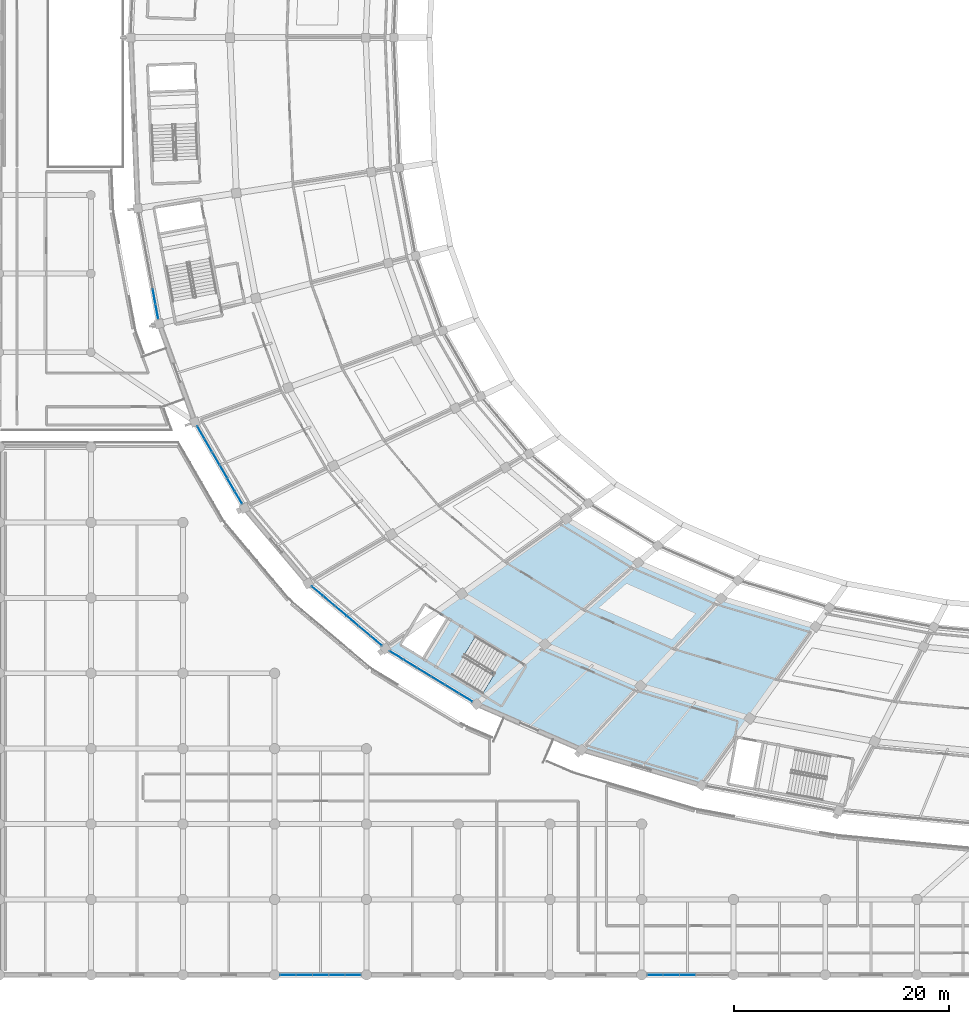
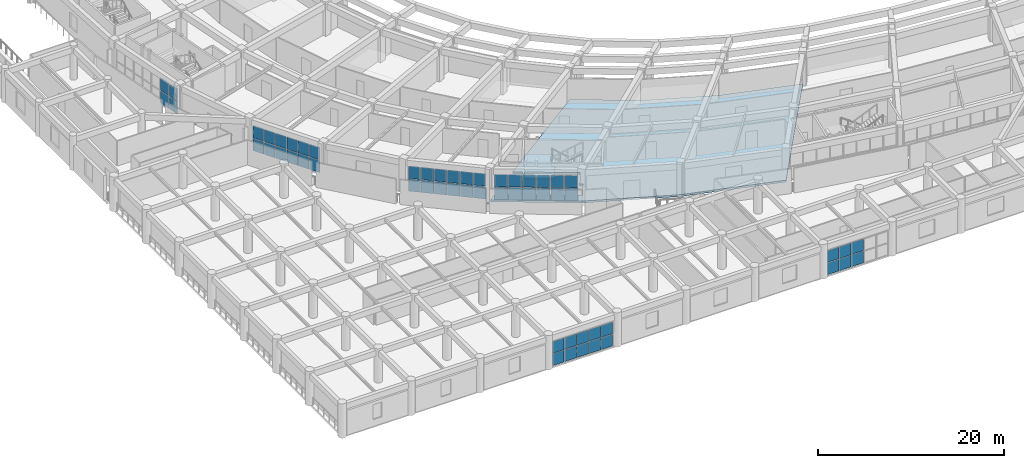
# One storey, part 77 of 145: 56 plates, 2 slabs, 7 elements without a shape of their own.
"""IFC4 building model written with IfcOpenShell, lengths in metres."""

from ifc_helpers import new_model, si_unit, direction, frame, origin, origin_2d, place, context, subcontext, project, spatial, polyline, rectangle, outline, extrude, material, layer, layer_set, type_object, element, aggregate, save


model = new_model("IFC4")

# Units and contexts
model_context = context("Model", 3, precision=1e-05, world=origin(), true_north=direction((0.0, 1.0)))
body_context = subcontext(model_context, "Body", "Model", "MODEL_VIEW")
ifc_project = project(units=[si_unit("LENGTHUNIT", "METRE"), si_unit("AREAUNIT", "SQUARE_METRE"), si_unit("VOLUMEUNIT", "CUBIC_METRE"), si_unit("PLANEANGLEUNIT", "RADIAN"), si_unit("MASSUNIT", "GRAM", prefix="KILO")], contexts=[model_context])

# Site, building, storey
site_placement = place(None, origin())
site = spatial("IfcSite", under=ifc_project, at=site_placement, CompositionType="ELEMENT")
building_placement = place(site_placement, origin())
building = spatial("IfcBuilding", under=site, at=building_placement, Name="Mphavela Belvedere Stadium", CompositionType="ELEMENT")
storey_placement = place(building_placement, frame((0.0, 0.0, 10.199951171875)))
storey = spatial("IfcBuildingStorey", under=building, at=storey_placement, Name="L02", CompositionType="ELEMENT", Elevation=10.199951171875)

# Curtain wall, plates
ifc_material_1 = material(Name="Anodised bronze unitised curtain wall framing")
ifc_layer_1 = layer(ifc_material_1, 0.195068359375)
ifc_layer_set_1 = layer_set([ifc_layer_1], Name="Anodised bronze unitised curtain wall framing")
curtain_wall_type_1 = type_object("IfcCurtainWallType", Name="CW-UNIT-04", PredefinedType="USERDEFINED", material=ifc_layer_set_1)
curtain_wall_1_placement = place(storey_placement, origin())
curtain_wall_1 = element("IfcCurtainWall", 1, at=curtain_wall_1_placement, inside=storey, type_object=curtain_wall_type_1, Name="Belvedere colonnade curtain wall L02-26", ObjectType="UNITISED CURTAIN WALL", PredefinedType="USERDEFINED")
ifc_material_2 = material(Name="Solar-control double glazing", Category="glass")
ifc_layer_2 = layer(ifc_material_2, 0.031982421875)
ifc_layer_set_2 = layer_set([ifc_layer_2], Name="Solar-control double glazing")
plate_type = type_object("IfcPlateType", Name="CWP-SOLAR-GLASS", PredefinedType="CURTAIN_PANEL", material=ifc_layer_set_2)
plate_1_placement = place(storey_placement, frame((14.3671875, 62.957763671875, 0.06005859375), z_axis=(0.0, 0.0, 1.0), x_axis=(0.182625402503, -0.983182568174, 0.0)))
plate_1 = element("IfcPlate", 2, at=plate_1_placement, type_object=plate_type, Name="CW-04 panel 6.1", PredefinedType="CURTAIN_PANEL", context=body_context, shape_type="SweptSolid", body=[
    extrude(rectangle(XDim=1.378662109375, YDim=0.031982421875, at=origin_2d()), origin(), (0.0, 0.0, 1.0), 1.6201171875),
])
plate_2_placement = place(storey_placement, frame((14.3671875, 62.957763671875, 1.739990234375), z_axis=(0.0, 0.0, 1.0), x_axis=(0.182625402503, -0.983182568174, 0.0)))
plate_2 = element("IfcPlate", 3, at=plate_2_placement, type_object=plate_type, Name="CW-04 panel 6.2", PredefinedType="CURTAIN_PANEL", context=body_context, shape_type="SweptSolid", body=[
    extrude(rectangle(XDim=1.378662109375, YDim=0.031982421875, at=origin_2d()), origin(), (0.0, 0.0, 1.0), 1.6201171875),
])
plate_3_placement = place(storey_placement, frame((14.6279296875, 61.554443359375, 0.06005859375), z_axis=(0.0, 0.0, 1.0), x_axis=(0.182625402503, -0.983182568174, 0.0)))
plate_3 = element("IfcPlate", 4, at=plate_3_placement, type_object=plate_type, Name="CW-04 panel 7.1", PredefinedType="CURTAIN_PANEL", context=body_context, shape_type="SweptSolid", body=[
    extrude(rectangle(XDim=1.345947265625, YDim=0.031982421875, at=origin_2d()), origin(), (0.0, 0.0, 1.0), 1.6201171875),
])
plate_4_placement = place(storey_placement, frame((14.6279296875, 61.554443359375, 1.739990234375), z_axis=(0.0, 0.0, 1.0), x_axis=(0.182625402503, -0.983182568174, 0.0)))
plate_4 = element("IfcPlate", 5, at=plate_4_placement, type_object=plate_type, Name="CW-04 panel 7.2", PredefinedType="CURTAIN_PANEL", context=body_context, shape_type="SweptSolid", body=[
    extrude(rectangle(XDim=1.345947265625, YDim=0.031982421875, at=origin_2d()), origin(), (0.0, 0.0, 1.0), 1.6201171875),
])
aggregate(curtain_wall_1, [plate_1, plate_2, plate_3, plate_4])

ifc_material_3 = material(Name="Anodised bronze unitised curtain wall framing")
ifc_layer_3 = layer(ifc_material_3, 0.199951171875)
ifc_layer_set_3 = layer_set([ifc_layer_3], Name="Anodised bronze unitised curtain wall framing")
curtain_wall_type_2 = type_object("IfcCurtainWallType", Name="CW-UNIT-05", PredefinedType="USERDEFINED", material=ifc_layer_set_3)
curtain_wall_2_placement = place(storey_placement, origin())
curtain_wall_2 = element("IfcCurtainWall", 6, at=curtain_wall_2_placement, inside=storey, type_object=curtain_wall_type_2, Name="Belvedere colonnade curtain wall L02-28", ObjectType="UNITISED CURTAIN WALL", PredefinedType="USERDEFINED")
plate_5_placement = place(storey_placement, frame((18.702392578125, 50.3515625, 0.06005859375), z_axis=(0.0, 0.0, 1.0), x_axis=(0.500562469533, -0.865700418213, 0.0)))
plate_5 = element("IfcPlate", 7, at=plate_5_placement, type_object=plate_type, Name="CW-05 panel 1.1", PredefinedType="CURTAIN_PANEL", context=body_context, shape_type="SweptSolid", body=[
    extrude(rectangle(XDim=1.305908203125, YDim=0.031982421875, at=origin_2d()), origin(), (0.0, 0.0, 1.0), 1.6201171875),
])
plate_6_placement = place(storey_placement, frame((18.702392578125, 50.3515625, 1.739990234375), z_axis=(0.0, 0.0, 1.0), x_axis=(0.500562469533, -0.865700418213, 0.0)))
plate_6 = element("IfcPlate", 8, at=plate_6_placement, type_object=plate_type, Name="CW-05 panel 1.2", PredefinedType="CURTAIN_PANEL", context=body_context, shape_type="SweptSolid", body=[
    extrude(rectangle(XDim=1.305908203125, YDim=0.031982421875, at=origin_2d()), origin(), (0.0, 0.0, 1.0), 1.6201171875),
])
plate_7_placement = place(storey_placement, frame((19.39697265625, 49.150634765625, 0.06005859375), z_axis=(0.0, 0.0, 1.0), x_axis=(0.500562469533, -0.865700418213, 0.0)))
plate_7 = element("IfcPlate", 9, at=plate_7_placement, type_object=plate_type, Name="CW-05 panel 2.1", PredefinedType="CURTAIN_PANEL", context=body_context, shape_type="SweptSolid", body=[
    extrude(rectangle(XDim=1.33837890625, YDim=0.031982421875, at=origin_2d()), origin(), (0.0, 0.0, 1.0), 1.6201171875),
])
plate_8_placement = place(storey_placement, frame((19.39697265625, 49.150634765625, 1.739990234375), z_axis=(0.0, 0.0, 1.0), x_axis=(0.500562469533, -0.865700418213, 0.0)))
plate_8 = element("IfcPlate", 10, at=plate_8_placement, type_object=plate_type, Name="CW-05 panel 2.2", PredefinedType="CURTAIN_PANEL", context=body_context, shape_type="SweptSolid", body=[
    extrude(rectangle(XDim=1.33837890625, YDim=0.031982421875, at=origin_2d()), origin(), (0.0, 0.0, 1.0), 1.6201171875),
])
plate_9_placement = place(storey_placement, frame((20.099365234375, 47.935546875, 0.06005859375), z_axis=(0.0, 0.0, 1.0), x_axis=(0.500562469533, -0.865700418213, 0.0)))
plate_9 = element("IfcPlate", 11, at=plate_9_placement, type_object=plate_type, Name="CW-05 panel 3.1", PredefinedType="CURTAIN_PANEL", context=body_context, shape_type="SweptSolid", body=[
    extrude(rectangle(XDim=1.33837890625, YDim=0.031982421875, at=origin_2d()), origin(), (0.0, 0.0, 1.0), 1.6201171875),
])
plate_10_placement = place(storey_placement, frame((20.099365234375, 47.935546875, 1.739990234375), z_axis=(0.0, 0.0, 1.0), x_axis=(0.500562469533, -0.865700418213, 0.0)))
plate_10 = element("IfcPlate", 12, at=plate_10_placement, type_object=plate_type, Name="CW-05 panel 3.2", PredefinedType="CURTAIN_PANEL", context=body_context, shape_type="SweptSolid", body=[
    extrude(rectangle(XDim=1.33837890625, YDim=0.031982421875, at=origin_2d()), origin(), (0.0, 0.0, 1.0), 1.6201171875),
])
plate_11_placement = place(storey_placement, frame((20.802001953125, 46.720703125, 0.06005859375), z_axis=(0.0, 0.0, 1.0), x_axis=(0.500562469533, -0.865700418213, 0.0)))
plate_11 = element("IfcPlate", 13, at=plate_11_placement, type_object=plate_type, Name="CW-05 panel 4.1", PredefinedType="CURTAIN_PANEL", context=body_context, shape_type="SweptSolid", body=[
    extrude(rectangle(XDim=1.33837890625, YDim=0.031982421875, at=origin_2d()), origin(), (0.0, 0.0, 1.0), 1.6201171875),
])
plate_12_placement = place(storey_placement, frame((20.802001953125, 46.720703125, 1.739990234375), z_axis=(0.0, 0.0, 1.0), x_axis=(0.500562469533, -0.865700418213, 0.0)))
plate_12 = element("IfcPlate", 14, at=plate_12_placement, type_object=plate_type, Name="CW-05 panel 4.2", PredefinedType="CURTAIN_PANEL", context=body_context, shape_type="SweptSolid", body=[
    extrude(rectangle(XDim=1.33837890625, YDim=0.031982421875, at=origin_2d()), origin(), (0.0, 0.0, 1.0), 1.6201171875),
])
plate_13_placement = place(storey_placement, frame((21.50439453125, 45.505615234375, 0.06005859375), z_axis=(0.0, 0.0, 1.0), x_axis=(0.500562469533, -0.865700418213, 0.0)))
plate_13 = element("IfcPlate", 15, at=plate_13_placement, type_object=plate_type, Name="CW-05 panel 5.1", PredefinedType="CURTAIN_PANEL", context=body_context, shape_type="SweptSolid", body=[
    extrude(rectangle(XDim=1.33837890625, YDim=0.031982421875, at=origin_2d()), origin(), (0.0, 0.0, 1.0), 1.6201171875),
])
plate_14_placement = place(storey_placement, frame((21.50439453125, 45.505615234375, 1.739990234375), z_axis=(0.0, 0.0, 1.0), x_axis=(0.500562469533, -0.865700418213, 0.0)))
plate_14 = element("IfcPlate", 16, at=plate_14_placement, type_object=plate_type, Name="CW-05 panel 5.2", PredefinedType="CURTAIN_PANEL", context=body_context, shape_type="SweptSolid", body=[
    extrude(rectangle(XDim=1.33837890625, YDim=0.031982421875, at=origin_2d()), origin(), (0.0, 0.0, 1.0), 1.6201171875),
])
plate_15_placement = place(storey_placement, frame((22.198974609375, 44.3046875, 0.06005859375), z_axis=(0.0, 0.0, 1.0), x_axis=(0.500562469533, -0.865700418213, 0.0)))
plate_15 = element("IfcPlate", 17, at=plate_15_placement, type_object=plate_type, Name="CW-05 panel 6.1", PredefinedType="CURTAIN_PANEL", context=body_context, shape_type="SweptSolid", body=[
    extrude(rectangle(XDim=1.305908203125, YDim=0.031982421875, at=origin_2d()), origin(), (0.0, 0.0, 1.0), 1.6201171875),
])
plate_16_placement = place(storey_placement, frame((22.198974609375, 44.3046875, 1.739990234375), z_axis=(0.0, 0.0, 1.0), x_axis=(0.500562469533, -0.865700418213, 0.0)))
plate_16 = element("IfcPlate", 18, at=plate_16_placement, type_object=plate_type, Name="CW-05 panel 6.2", PredefinedType="CURTAIN_PANEL", context=body_context, shape_type="SweptSolid", body=[
    extrude(rectangle(XDim=1.305908203125, YDim=0.031982421875, at=origin_2d()), origin(), (0.0, 0.0, 1.0), 1.6201171875),
])
aggregate(curtain_wall_2, [plate_5, plate_6, plate_7, plate_8, plate_9, plate_10, plate_11, plate_12, plate_13, plate_14, plate_15, plate_16])

ifc_material_4 = material(Name="Anodised bronze unitised curtain wall framing")
ifc_layer_4 = layer(ifc_material_4, 0.205078125)
ifc_layer_set_4 = layer_set([ifc_layer_4], Name="Anodised bronze unitised curtain wall framing")
curtain_wall_type_3 = type_object("IfcCurtainWallType", Name="CW-UNIT-06", PredefinedType="USERDEFINED", material=ifc_layer_set_4)
curtain_wall_3_placement = place(storey_placement, origin())
curtain_wall_3 = element("IfcCurtainWall", 19, at=curtain_wall_3_placement, inside=storey, type_object=curtain_wall_type_3, Name="Belvedere colonnade curtain wall L02-30", ObjectType="UNITISED CURTAIN WALL", PredefinedType="USERDEFINED")
plate_17_placement = place(storey_placement, frame((29.526123046875, 35.616943359375, 0.06005859375), z_axis=(0.0, 0.0, 1.0), x_axis=(0.764260865126, -0.644907225915, 0.0)))
plate_17 = element("IfcPlate", 20, at=plate_17_placement, type_object=plate_type, Name="CW-06 panel 1.1", PredefinedType="CURTAIN_PANEL", context=body_context, shape_type="SweptSolid", body=[
    extrude(rectangle(XDim=1.336181640625, YDim=0.031982421875, at=origin_2d()), origin(), (0.0, 0.0, 1.0), 1.6201171875),
])
plate_18_placement = place(storey_placement, frame((29.526123046875, 35.616943359375, 1.739990234375), z_axis=(0.0, 0.0, 1.0), x_axis=(0.764260865126, -0.644907225915, 0.0)))
plate_18 = element("IfcPlate", 21, at=plate_18_placement, type_object=plate_type, Name="CW-06 panel 1.2", PredefinedType="CURTAIN_PANEL", context=body_context, shape_type="SweptSolid", body=[
    extrude(rectangle(XDim=1.336181640625, YDim=0.031982421875, at=origin_2d()), origin(), (0.0, 0.0, 1.0), 1.6201171875),
])
plate_19_placement = place(storey_placement, frame((30.609375, 34.702880859375, 0.06005859375), z_axis=(0.0, 0.0, 1.0), x_axis=(0.764260865126, -0.644907225915, 0.0)))
plate_19 = element("IfcPlate", 22, at=plate_19_placement, type_object=plate_type, Name="CW-06 panel 2.1", PredefinedType="CURTAIN_PANEL", context=body_context, shape_type="SweptSolid", body=[
    extrude(rectangle(XDim=1.36865234375, YDim=0.031982421875, at=origin_2d()), origin(), (0.0, 0.0, 1.0), 1.6201171875),
])
plate_20_placement = place(storey_placement, frame((30.609375, 34.702880859375, 1.739990234375), z_axis=(0.0, 0.0, 1.0), x_axis=(0.764260865126, -0.644907225915, 0.0)))
plate_20 = element("IfcPlate", 23, at=plate_20_placement, type_object=plate_type, Name="CW-06 panel 2.2", PredefinedType="CURTAIN_PANEL", context=body_context, shape_type="SweptSolid", body=[
    extrude(rectangle(XDim=1.36865234375, YDim=0.031982421875, at=origin_2d()), origin(), (0.0, 0.0, 1.0), 1.6201171875),
])
plate_21_placement = place(storey_placement, frame((31.705078125, 33.7783203125, 0.06005859375), z_axis=(0.0, 0.0, 1.0), x_axis=(0.764260865126, -0.644907225915, 0.0)))
plate_21 = element("IfcPlate", 24, at=plate_21_placement, type_object=plate_type, Name="CW-06 panel 3.1", PredefinedType="CURTAIN_PANEL", context=body_context, shape_type="SweptSolid", body=[
    extrude(rectangle(XDim=1.36865234375, YDim=0.031982421875, at=origin_2d()), origin(), (0.0, 0.0, 1.0), 1.6201171875),
])
plate_22_placement = place(storey_placement, frame((31.705078125, 33.7783203125, 1.739990234375), z_axis=(0.0, 0.0, 1.0), x_axis=(0.764260865126, -0.644907225915, 0.0)))
plate_22 = element("IfcPlate", 25, at=plate_22_placement, type_object=plate_type, Name="CW-06 panel 3.2", PredefinedType="CURTAIN_PANEL", context=body_context, shape_type="SweptSolid", body=[
    extrude(rectangle(XDim=1.36865234375, YDim=0.031982421875, at=origin_2d()), origin(), (0.0, 0.0, 1.0), 1.6201171875),
])
plate_23_placement = place(storey_placement, frame((32.801025390625, 32.853759765625, 0.06005859375), z_axis=(0.0, 0.0, 1.0), x_axis=(0.764260865126, -0.644907225915, 0.0)))
plate_23 = element("IfcPlate", 26, at=plate_23_placement, type_object=plate_type, Name="CW-06 panel 4.1", PredefinedType="CURTAIN_PANEL", context=body_context, shape_type="SweptSolid", body=[
    extrude(rectangle(XDim=1.36865234375, YDim=0.031982421875, at=origin_2d()), origin(), (0.0, 0.0, 1.0), 1.6201171875),
])
plate_24_placement = place(storey_placement, frame((32.801025390625, 32.853759765625, 1.739990234375), z_axis=(0.0, 0.0, 1.0), x_axis=(0.764260865126, -0.644907225915, 0.0)))
plate_24 = element("IfcPlate", 27, at=plate_24_placement, type_object=plate_type, Name="CW-06 panel 4.2", PredefinedType="CURTAIN_PANEL", context=body_context, shape_type="SweptSolid", body=[
    extrude(rectangle(XDim=1.36865234375, YDim=0.031982421875, at=origin_2d()), origin(), (0.0, 0.0, 1.0), 1.6201171875),
])
plate_25_placement = place(storey_placement, frame((33.896728515625, 31.92919921875, 0.06005859375), z_axis=(0.0, 0.0, 1.0), x_axis=(0.764260865126, -0.644907225915, 0.0)))
plate_25 = element("IfcPlate", 28, at=plate_25_placement, type_object=plate_type, Name="CW-06 panel 5.1", PredefinedType="CURTAIN_PANEL", context=body_context, shape_type="SweptSolid", body=[
    extrude(rectangle(XDim=1.36865234375, YDim=0.031982421875, at=origin_2d()), origin(), (0.0, 0.0, 1.0), 1.6201171875),
])
plate_26_placement = place(storey_placement, frame((33.896728515625, 31.92919921875, 1.739990234375), z_axis=(0.0, 0.0, 1.0), x_axis=(0.764260865126, -0.644907225915, 0.0)))
plate_26 = element("IfcPlate", 29, at=plate_26_placement, type_object=plate_type, Name="CW-06 panel 5.2", PredefinedType="CURTAIN_PANEL", context=body_context, shape_type="SweptSolid", body=[
    extrude(rectangle(XDim=1.36865234375, YDim=0.031982421875, at=origin_2d()), origin(), (0.0, 0.0, 1.0), 1.6201171875),
])
plate_27_placement = place(storey_placement, frame((34.97998046875, 31.014892578125, 0.06005859375), z_axis=(0.0, 0.0, 1.0), x_axis=(0.764260865126, -0.644907225915, 0.0)))
plate_27 = element("IfcPlate", 30, at=plate_27_placement, type_object=plate_type, Name="CW-06 panel 6.1", PredefinedType="CURTAIN_PANEL", context=body_context, shape_type="SweptSolid", body=[
    extrude(rectangle(XDim=1.336181640625, YDim=0.031982421875, at=origin_2d()), origin(), (0.0, 0.0, 1.0), 1.6201171875),
])
plate_28_placement = place(storey_placement, frame((34.97998046875, 31.014892578125, 1.739990234375), z_axis=(0.0, 0.0, 1.0), x_axis=(0.764260865126, -0.644907225915, 0.0)))
plate_28 = element("IfcPlate", 31, at=plate_28_placement, type_object=plate_type, Name="CW-06 panel 6.2", PredefinedType="CURTAIN_PANEL", context=body_context, shape_type="SweptSolid", body=[
    extrude(rectangle(XDim=1.336181640625, YDim=0.031982421875, at=origin_2d()), origin(), (0.0, 0.0, 1.0), 1.6201171875),
])
aggregate(curtain_wall_3, [plate_17, plate_18, plate_19, plate_20, plate_21, plate_22, plate_23, plate_24, plate_25, plate_26, plate_27, plate_28])

ifc_material_5 = material(Name="Anodised bronze unitised curtain wall framing")
ifc_layer_5 = layer(ifc_material_5, 0.179931640625)
ifc_layer_set_5 = layer_set([ifc_layer_5], Name="Anodised bronze unitised curtain wall framing")
curtain_wall_type_4 = type_object("IfcCurtainWallType", Name="CW-UNIT-01", PredefinedType="USERDEFINED", material=ifc_layer_set_5)
curtain_wall_4_placement = place(storey_placement, origin())
curtain_wall_4 = element("IfcCurtainWall", 32, at=curtain_wall_4_placement, inside=storey, type_object=curtain_wall_type_4, Name="Belvedere colonnade curtain wall L02-31", ObjectType="UNITISED CURTAIN WALL", PredefinedType="USERDEFINED")
plate_29_placement = place(storey_placement, frame((36.8466796875, 29.67578125, 0.06005859375), z_axis=(0.0, 0.0, 1.0), x_axis=(0.85432958476, -0.519731623633, 0.0)))
plate_29 = element("IfcPlate", 33, at=plate_29_placement, type_object=plate_type, Name="CW-01 panel 1.1", PredefinedType="CURTAIN_PANEL", context=body_context, shape_type="SweptSolid", body=[
    extrude(rectangle(XDim=1.420166015625, YDim=0.031982421875, at=origin_2d()), origin(), (0.0, 0.0, 1.0), 1.6201171875),
])
plate_30_placement = place(storey_placement, frame((36.8466796875, 29.67578125, 1.739990234375), z_axis=(0.0, 0.0, 1.0), x_axis=(0.85432958476, -0.519731623633, 0.0)))
plate_30 = element("IfcPlate", 34, at=plate_30_placement, type_object=plate_type, Name="CW-01 panel 1.2", PredefinedType="CURTAIN_PANEL", context=body_context, shape_type="SweptSolid", body=[
    extrude(rectangle(XDim=1.420166015625, YDim=0.031982421875, at=origin_2d()), origin(), (0.0, 0.0, 1.0), 1.6201171875),
])
plate_31_placement = place(storey_placement, frame((38.129150390625, 28.8955078125, 0.06005859375), z_axis=(0.0, 0.0, 1.0), x_axis=(0.85432958476, -0.519731623633, 0.0)))
plate_31 = element("IfcPlate", 35, at=plate_31_placement, type_object=plate_type, Name="CW-01 panel 2.1", PredefinedType="CURTAIN_PANEL", context=body_context, shape_type="SweptSolid", body=[
    extrude(rectangle(XDim=1.45263671875, YDim=0.031982421875, at=origin_2d()), origin(), (0.0, 0.0, 1.0), 1.6201171875),
])
plate_32_placement = place(storey_placement, frame((38.129150390625, 28.8955078125, 1.739990234375), z_axis=(0.0, 0.0, 1.0), x_axis=(0.85432958476, -0.519731623633, 0.0)))
plate_32 = element("IfcPlate", 36, at=plate_32_placement, type_object=plate_type, Name="CW-01 panel 2.2", PredefinedType="CURTAIN_PANEL", context=body_context, shape_type="SweptSolid", body=[
    extrude(rectangle(XDim=1.45263671875, YDim=0.031982421875, at=origin_2d()), origin(), (0.0, 0.0, 1.0), 1.6201171875),
])
plate_33_placement = place(storey_placement, frame((39.42578125, 28.106689453125, 0.06005859375), z_axis=(0.0, 0.0, 1.0), x_axis=(0.85432958476, -0.519731623633, 0.0)))
plate_33 = element("IfcPlate", 37, at=plate_33_placement, type_object=plate_type, Name="CW-01 panel 3.1", PredefinedType="CURTAIN_PANEL", context=body_context, shape_type="SweptSolid", body=[
    extrude(rectangle(XDim=1.45263671875, YDim=0.031982421875, at=origin_2d()), origin(), (0.0, 0.0, 1.0), 1.6201171875),
])
plate_34_placement = place(storey_placement, frame((39.42578125, 28.106689453125, 1.739990234375), z_axis=(0.0, 0.0, 1.0), x_axis=(0.85432958476, -0.519731623633, 0.0)))
plate_34 = element("IfcPlate", 38, at=plate_34_placement, type_object=plate_type, Name="CW-01 panel 3.2", PredefinedType="CURTAIN_PANEL", context=body_context, shape_type="SweptSolid", body=[
    extrude(rectangle(XDim=1.45263671875, YDim=0.031982421875, at=origin_2d()), origin(), (0.0, 0.0, 1.0), 1.6201171875),
])
plate_35_placement = place(storey_placement, frame((40.722412109375, 27.31787109375, 0.06005859375), z_axis=(0.0, 0.0, 1.0), x_axis=(0.85432958476, -0.519731623633, 0.0)))
plate_35 = element("IfcPlate", 39, at=plate_35_placement, type_object=plate_type, Name="CW-01 panel 4.1", PredefinedType="CURTAIN_PANEL", context=body_context, shape_type="SweptSolid", body=[
    extrude(rectangle(XDim=1.45263671875, YDim=0.031982421875, at=origin_2d()), origin(), (0.0, 0.0, 1.0), 1.6201171875),
])
plate_36_placement = place(storey_placement, frame((40.722412109375, 27.31787109375, 1.739990234375), z_axis=(0.0, 0.0, 1.0), x_axis=(0.85432958476, -0.519731623633, 0.0)))
plate_36 = element("IfcPlate", 40, at=plate_36_placement, type_object=plate_type, Name="CW-01 panel 4.2", PredefinedType="CURTAIN_PANEL", context=body_context, shape_type="SweptSolid", body=[
    extrude(rectangle(XDim=1.45263671875, YDim=0.031982421875, at=origin_2d()), origin(), (0.0, 0.0, 1.0), 1.6201171875),
])
plate_37_placement = place(storey_placement, frame((42.01904296875, 26.529052734375, 0.06005859375), z_axis=(0.0, 0.0, 1.0), x_axis=(0.85432958476, -0.519731623633, 0.0)))
plate_37 = element("IfcPlate", 41, at=plate_37_placement, type_object=plate_type, Name="CW-01 panel 5.1", PredefinedType="CURTAIN_PANEL", context=body_context, shape_type="SweptSolid", body=[
    extrude(rectangle(XDim=1.45263671875, YDim=0.031982421875, at=origin_2d()), origin(), (0.0, 0.0, 1.0), 1.6201171875),
])
plate_38_placement = place(storey_placement, frame((42.01904296875, 26.529052734375, 1.739990234375), z_axis=(0.0, 0.0, 1.0), x_axis=(0.85432958476, -0.519731623633, 0.0)))
plate_38 = element("IfcPlate", 42, at=plate_38_placement, type_object=plate_type, Name="CW-01 panel 5.2", PredefinedType="CURTAIN_PANEL", context=body_context, shape_type="SweptSolid", body=[
    extrude(rectangle(XDim=1.45263671875, YDim=0.031982421875, at=origin_2d()), origin(), (0.0, 0.0, 1.0), 1.6201171875),
])
plate_39_placement = place(storey_placement, frame((43.301513671875, 25.748779296875, 0.06005859375), z_axis=(0.0, 0.0, 1.0), x_axis=(0.85432958476, -0.519731623633, 0.0)))
plate_39 = element("IfcPlate", 43, at=plate_39_placement, type_object=plate_type, Name="CW-01 panel 6.1", PredefinedType="CURTAIN_PANEL", context=body_context, shape_type="SweptSolid", body=[
    extrude(rectangle(XDim=1.420166015625, YDim=0.031982421875, at=origin_2d()), origin(), (0.0, 0.0, 1.0), 1.6201171875),
])
plate_40_placement = place(storey_placement, frame((43.301513671875, 25.748779296875, 1.739990234375), z_axis=(0.0, 0.0, 1.0), x_axis=(0.85432958476, -0.519731623633, 0.0)))
plate_40 = element("IfcPlate", 44, at=plate_40_placement, type_object=plate_type, Name="CW-01 panel 6.2", PredefinedType="CURTAIN_PANEL", context=body_context, shape_type="SweptSolid", body=[
    extrude(rectangle(XDim=1.420166015625, YDim=0.031982421875, at=origin_2d()), origin(), (0.0, 0.0, 1.0), 1.6201171875),
])
aggregate(curtain_wall_4, [plate_29, plate_30, plate_31, plate_32, plate_33, plate_34, plate_35, plate_36, plate_37, plate_38, plate_39, plate_40])

curtain_wall_5_placement = place(storey_placement, origin())
curtain_wall_5 = element("IfcCurtainWall", 45, at=curtain_wall_5_placement, inside=storey, type_object=curtain_wall_type_4, Name="South Axial Triumphal Peristyle Portico gallery curtain wall L02-04", ObjectType="UNITISED CURTAIN WALL", PredefinedType="USERDEFINED")
plate_41_placement = place(storey_placement, frame((32.82763671875, 0.0, 0.06005859375), z_axis=(0.0, 0.0, 1.0), x_axis=(-1.0, 0.0, 0.0)))
plate_41 = element("IfcPlate", 46, at=plate_41_placement, type_object=plate_type, Name="CW-01 panel 1.1", PredefinedType="CURTAIN_PANEL", context=body_context, shape_type="SweptSolid", body=[
    extrude(rectangle(XDim=1.4169921875, YDim=0.031982421875, at=origin_2d()), origin(), (0.0, 0.0, 1.0), 1.5400390625),
])
plate_42_placement = place(storey_placement, frame((32.82763671875, 0.0, 1.659912109375), z_axis=(0.0, 0.0, 1.0), x_axis=(-1.0, 0.0, 0.0)))
plate_42 = element("IfcPlate", 47, at=plate_42_placement, type_object=plate_type, Name="CW-01 panel 1.2", PredefinedType="CURTAIN_PANEL", context=body_context, shape_type="SweptSolid", body=[
    extrude(rectangle(XDim=1.4169921875, YDim=0.031982421875, at=origin_2d()), origin(), (0.0, 0.0, 1.0), 1.5400390625),
])
plate_43_placement = place(storey_placement, frame((31.329345703125, 0.0, 0.06005859375), z_axis=(0.0, 0.0, 1.0), x_axis=(-1.0, 0.0, 0.0)))
plate_43 = element("IfcPlate", 48, at=plate_43_placement, type_object=plate_type, Name="CW-01 panel 2.1", PredefinedType="CURTAIN_PANEL", context=body_context, shape_type="SweptSolid", body=[
    extrude(rectangle(XDim=1.449462890625, YDim=0.031982421875, at=origin_2d()), origin(), (0.0, 0.0, 1.0), 1.5400390625),
])
plate_44_placement = place(storey_placement, frame((31.329345703125, 0.0, 1.659912109375), z_axis=(0.0, 0.0, 1.0), x_axis=(-1.0, 0.0, 0.0)))
plate_44 = element("IfcPlate", 49, at=plate_44_placement, type_object=plate_type, Name="CW-01 panel 2.2", PredefinedType="CURTAIN_PANEL", context=body_context, shape_type="SweptSolid", body=[
    extrude(rectangle(XDim=1.449462890625, YDim=0.031982421875, at=origin_2d()), origin(), (0.0, 0.0, 1.0), 1.5400390625),
])
plate_45_placement = place(storey_placement, frame((29.81494140625, 0.0, 0.06005859375), z_axis=(0.0, 0.0, 1.0), x_axis=(-1.0, 0.0, 0.0)))
plate_45 = element("IfcPlate", 50, at=plate_45_placement, type_object=plate_type, Name="CW-01 panel 3.1", PredefinedType="CURTAIN_PANEL", context=body_context, shape_type="SweptSolid", body=[
    extrude(rectangle(XDim=1.449462890625, YDim=0.031982421875, at=origin_2d()), origin(), (0.0, 0.0, 1.0), 1.5400390625),
])
plate_46_placement = place(storey_placement, frame((29.81494140625, 0.0, 1.659912109375), z_axis=(0.0, 0.0, 1.0), x_axis=(-1.0, 0.0, 0.0)))
plate_46 = element("IfcPlate", 51, at=plate_46_placement, type_object=plate_type, Name="CW-01 panel 3.2", PredefinedType="CURTAIN_PANEL", context=body_context, shape_type="SweptSolid", body=[
    extrude(rectangle(XDim=1.449462890625, YDim=0.031982421875, at=origin_2d()), origin(), (0.0, 0.0, 1.0), 1.5400390625),
])
plate_47_placement = place(storey_placement, frame((28.300537109375, 0.0, 0.06005859375), z_axis=(0.0, 0.0, 1.0), x_axis=(-1.0, 0.0, 0.0)))
plate_47 = element("IfcPlate", 52, at=plate_47_placement, type_object=plate_type, Name="CW-01 panel 4.1", PredefinedType="CURTAIN_PANEL", context=body_context, shape_type="SweptSolid", body=[
    extrude(rectangle(XDim=1.449462890625, YDim=0.031982421875, at=origin_2d()), origin(), (0.0, 0.0, 1.0), 1.5400390625),
])
plate_48_placement = place(storey_placement, frame((28.300537109375, 0.0, 1.659912109375), z_axis=(0.0, 0.0, 1.0), x_axis=(-1.0, 0.0, 0.0)))
plate_48 = element("IfcPlate", 53, at=plate_48_placement, type_object=plate_type, Name="CW-01 panel 4.2", PredefinedType="CURTAIN_PANEL", context=body_context, shape_type="SweptSolid", body=[
    extrude(rectangle(XDim=1.449462890625, YDim=0.031982421875, at=origin_2d()), origin(), (0.0, 0.0, 1.0), 1.5400390625),
])
plate_49_placement = place(storey_placement, frame((26.802490234375, 0.0, 0.06005859375), z_axis=(0.0, 0.0, 1.0), x_axis=(-1.0, 0.0, 0.0)))
plate_49 = element("IfcPlate", 54, at=plate_49_placement, type_object=plate_type, Name="CW-01 panel 5.1", PredefinedType="CURTAIN_PANEL", context=body_context, shape_type="SweptSolid", body=[
    extrude(rectangle(XDim=1.4169921875, YDim=0.031982421875, at=origin_2d()), origin(), (0.0, 0.0, 1.0), 1.5400390625),
])
plate_50_placement = place(storey_placement, frame((26.802490234375, 0.0, 1.659912109375), z_axis=(0.0, 0.0, 1.0), x_axis=(-1.0, 0.0, 0.0)))
plate_50 = element("IfcPlate", 55, at=plate_50_placement, type_object=plate_type, Name="CW-01 panel 5.2", PredefinedType="CURTAIN_PANEL", context=body_context, shape_type="SweptSolid", body=[
    extrude(rectangle(XDim=1.4169921875, YDim=0.031982421875, at=origin_2d()), origin(), (0.0, 0.0, 1.0), 1.5400390625),
])
aggregate(curtain_wall_5, [plate_41, plate_42, plate_43, plate_44, plate_45, plate_46, plate_47, plate_48, plate_49, plate_50])

ifc_material_6 = material(Name="Anodised bronze unitised curtain wall framing")
ifc_layer_6 = layer(ifc_material_6, 0.18505859375)
ifc_layer_set_6 = layer_set([ifc_layer_6], Name="Anodised bronze unitised curtain wall framing")
curtain_wall_type_5 = type_object("IfcCurtainWallType", Name="CW-UNIT-02", PredefinedType="USERDEFINED", material=ifc_layer_set_6)
curtain_wall_6_placement = place(storey_placement, origin())
curtain_wall_6 = element("IfcCurtainWall", 56, at=curtain_wall_6_placement, inside=storey, type_object=curtain_wall_type_5, Name="South Axial Triumphal Peristyle Portico gallery curtain wall L02-08", ObjectType="UNITISED CURTAIN WALL", PredefinedType="USERDEFINED")
plate_51_placement = place(storey_placement, frame((63.888916015625, 0.0, 0.06005859375), z_axis=(0.0, 0.0, 1.0), x_axis=(-1.0, 0.0, 0.0)))
plate_51 = element("IfcPlate", 57, at=plate_51_placement, type_object=plate_type, Name="CW-02 panel 3.1", PredefinedType="CURTAIN_PANEL", context=body_context, shape_type="SweptSolid", body=[
    extrude(rectangle(XDim=1.449462890625, YDim=0.031982421875, at=origin_2d()), origin(), (0.0, 0.0, 1.0), 1.5400390625),
])
plate_52_placement = place(storey_placement, frame((63.888916015625, 0.0, 1.659912109375), z_axis=(0.0, 0.0, 1.0), x_axis=(-1.0, 0.0, 0.0)))
plate_52 = element("IfcPlate", 58, at=plate_52_placement, type_object=plate_type, Name="CW-02 panel 3.2", PredefinedType="CURTAIN_PANEL", context=body_context, shape_type="SweptSolid", body=[
    extrude(rectangle(XDim=1.449462890625, YDim=0.031982421875, at=origin_2d()), origin(), (0.0, 0.0, 1.0), 1.5400390625),
])
plate_53_placement = place(storey_placement, frame((62.37451171875, 0.0, 0.06005859375), z_axis=(0.0, 0.0, 1.0), x_axis=(-1.0, 0.0, 0.0)))
plate_53 = element("IfcPlate", 59, at=plate_53_placement, type_object=plate_type, Name="CW-02 panel 4.1", PredefinedType="CURTAIN_PANEL", context=body_context, shape_type="SweptSolid", body=[
    extrude(rectangle(XDim=1.449462890625, YDim=0.031982421875, at=origin_2d()), origin(), (0.0, 0.0, 1.0), 1.5400390625),
])
plate_54_placement = place(storey_placement, frame((62.37451171875, 0.0, 1.659912109375), z_axis=(0.0, 0.0, 1.0), x_axis=(-1.0, 0.0, 0.0)))
plate_54 = element("IfcPlate", 60, at=plate_54_placement, type_object=plate_type, Name="CW-02 panel 4.2", PredefinedType="CURTAIN_PANEL", context=body_context, shape_type="SweptSolid", body=[
    extrude(rectangle(XDim=1.449462890625, YDim=0.031982421875, at=origin_2d()), origin(), (0.0, 0.0, 1.0), 1.5400390625),
])
plate_55_placement = place(storey_placement, frame((60.87646484375, 0.0, 0.06005859375), z_axis=(0.0, 0.0, 1.0), x_axis=(-1.0, 0.0, 0.0)))
plate_55 = element("IfcPlate", 61, at=plate_55_placement, type_object=plate_type, Name="CW-02 panel 5.1", PredefinedType="CURTAIN_PANEL", context=body_context, shape_type="SweptSolid", body=[
    extrude(rectangle(XDim=1.4169921875, YDim=0.031982421875, at=origin_2d()), origin(), (0.0, 0.0, 1.0), 1.5400390625),
])
plate_56_placement = place(storey_placement, frame((60.87646484375, 0.0, 1.659912109375), z_axis=(0.0, 0.0, 1.0), x_axis=(-1.0, 0.0, 0.0)))
plate_56 = element("IfcPlate", 62, at=plate_56_placement, type_object=plate_type, Name="CW-02 panel 5.2", PredefinedType="CURTAIN_PANEL", context=body_context, shape_type="SweptSolid", body=[
    extrude(rectangle(XDim=1.4169921875, YDim=0.031982421875, at=origin_2d()), origin(), (0.0, 0.0, 1.0), 1.5400390625),
])
aggregate(curtain_wall_6, [plate_51, plate_52, plate_53, plate_54, plate_55, plate_56])

# Slab
ifc_material_7 = material(Name="Concrete C40/50", Category="concrete")
ifc_layer_7 = layer(ifc_material_7, 0.25)
ifc_layer_set_7 = layer_set([ifc_layer_7], Name="Concrete C40/50")
slab_type_1 = type_object("IfcSlabType", Name="SLB-CONCOURSE-250", PredefinedType="FLOOR", material=ifc_layer_set_7)
slab_1_placement = place(storey_placement, frame((0.0, 0.0, -0.25)))
element("IfcSlab", 63, at=slab_1_placement, inside=storey, type_object=slab_type_1, Name="Concourse sector slab L02-S6:1", PredefinedType="FLOOR", context=body_context, shape_type="SweptSolid", body=[
    extrude(outline(polyline([(37.356689453125, 30.67236328125), (39.28759765625, 29.498046875), (41.465087890625, 33.077880859375), (40.532958984375, 33.644775390625), (52.646240234375, 42.323974609375), (59.31005859375, 38.27001953125), (66.997314453125, 34.9375), (75.769775390625, 32.33349609375), (65.19873046875, 17.60302734375), (54.0625, 20.90869140625), (44.3037109375, 25.13916015625), (35.844482421875, 30.285400390625), (38.10791015625, 31.9072265625), (37.356689453125, 30.67236328125)]), holes=[polyline([(45.943359375, 27.901611328125), (45.65625, 28.076416015625), (46.7451171875, 29.8662109375), (41.653076171875, 32.96337890625), (39.4755859375, 29.383544921875), (44.8544921875, 26.11181640625), (45.943359375, 27.901611328125)])]), origin(), (0.0, 0.0, 1.0), 0.25),
])

# Stair, slab
ifc_material_8 = material(Name="Concrete C40/50", Category="concrete")
stair_type = type_object("IfcStairType", Name="STR-HALF-TURN-1", PredefinedType="HALF_TURN_STAIR", material=ifc_material_8)
stair_placement = place(storey_placement, origin())
stair = element("IfcStair", 64, at=stair_placement, inside=storey, type_object=stair_type, Name="L02 Escape stair core C10", PredefinedType="HALF_TURN_STAIR")
ifc_material_9 = material(Name="Concrete C40/50", Category="concrete")
ifc_layer_8 = layer(ifc_material_9, 0.199951171875)
ifc_layer_set_8 = layer_set([ifc_layer_8], Name="Concrete C40/50")
slab_type_2 = type_object("IfcSlabType", Name="SLB-LANDING-200", PredefinedType="LANDING", material=ifc_layer_set_8)
slab_2_placement = place(storey_placement, frame((0.0, 0.0, 2.050048828125)))
slab_2 = element("IfcSlab", 65, at=slab_2_placement, type_object=slab_type_2, Name="ST-C10 landing 1", PredefinedType="LANDING", context=body_context, shape_type="SweptSolid", body=[
    extrude(outline(polyline([(44.263916015625, 31.515869140625), (41.71533203125, 33.06591796875), (39.4130859375, 29.281005859375), (42.26513671875, 27.54638671875), (43.416015625, 29.43896484375), (43.11279296875, 29.623291015625), (44.263916015625, 31.515869140625)])), origin(), (0.0, 0.0, 1.0), 0.199951171875),
])
aggregate(stair, [slab_2])

save(model, "model.ifc")
